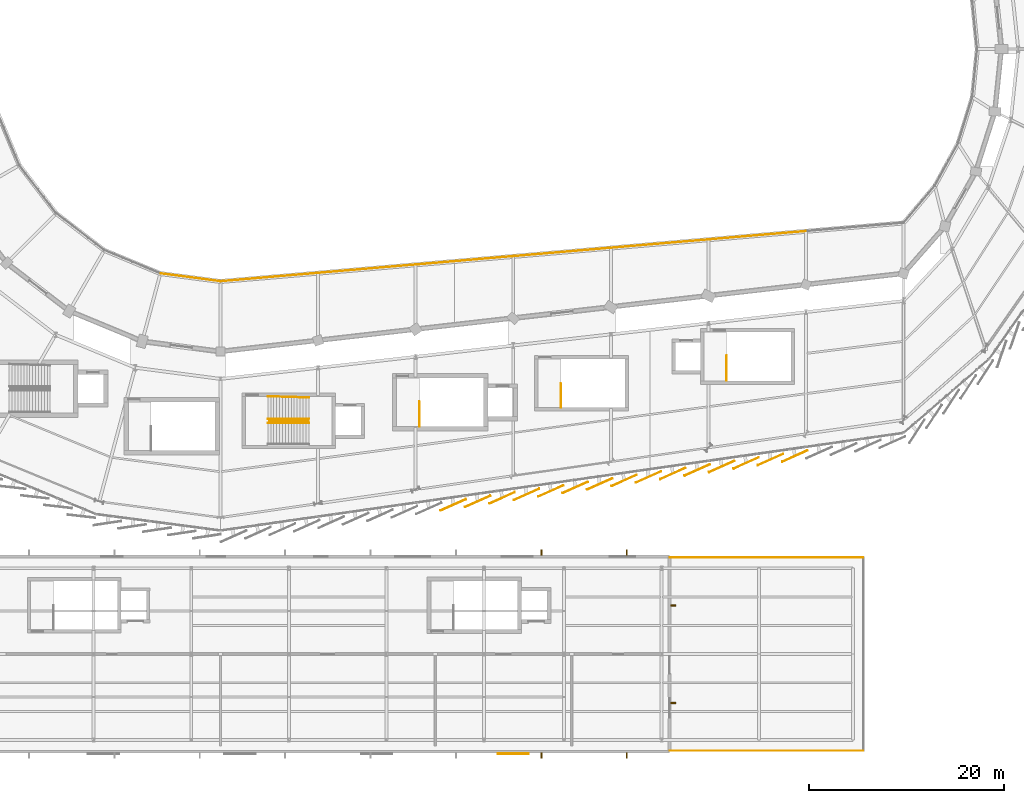
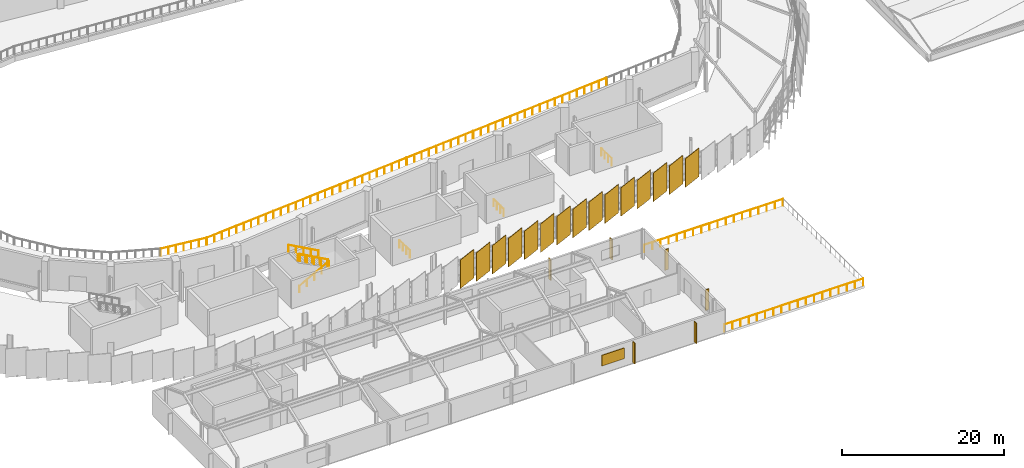
# One storey, part 83 of 87: 16 railings, 15 coverings, 7 shading devices.
"""IFC4 building model written with IfcOpenShell, lengths in metres."""

from ifc_helpers import new_model, si_unit, direction, frame, origin, origin_2d, place, context, subcontext, project, spatial, rectangle, circle, extrude, material, layer, layer_set, type_object, element, save


model = new_model("IFC4")

# Units and contexts
model_context = context("Model", 3, precision=1e-05, world=origin(), true_north=direction((0.0, 1.0)))
body_context = subcontext(model_context, "Body", "Model", "MODEL_VIEW")
ifc_project = project(units=[si_unit("LENGTHUNIT", "METRE"), si_unit("AREAUNIT", "SQUARE_METRE"), si_unit("VOLUMEUNIT", "CUBIC_METRE"), si_unit("PLANEANGLEUNIT", "RADIAN"), si_unit("MASSUNIT", "GRAM", prefix="KILO")], contexts=[model_context])

# Site, building, storey
site_placement = place(None, origin())
site = spatial("IfcSite", under=ifc_project, at=site_placement, CompositionType="ELEMENT")
building_placement = place(site_placement, origin())
building = spatial("IfcBuilding", under=site, at=building_placement, Name="Sohan Crest Arena", CompositionType="ELEMENT")
storey_placement = place(building_placement, frame((0.0, 0.0, 18.0)))
storey = spatial("IfcBuildingStorey", under=building, at=storey_placement, Name="L04", CompositionType="ELEMENT", Elevation=18.0)

# Railings
ifc_material_1 = material(Name="Powder-coated wrought steel balustrade", Category="steel")
railing_type_1 = type_object("IfcRailingType", Name="ARC-GRD-01", PredefinedType="GUARDRAIL", material=ifc_material_1)
railing_1_placement = place(storey_placement, frame((107.030029296875, 39.89990234375, 2.25)))
element("IfcRailing", 1, at=railing_1_placement, inside=storey, type_object=railing_type_1, Name="Stair well slot guard GRD-033", PredefinedType="GUARDRAIL", context=body_context, shape_type="SweptSolid", body=[
    extrude(circle(Radius=0.02392578125, at=origin_2d()), frame((0.0, 0.0, 1.076171875), z_axis=(-0.87313487534, 0.0, 0.487478706678), x_axis=(0.0, -1.0, 0.0)), (0.0, 0.0, 1.0), 4.615478515625),
    extrude(circle(Radius=0.02099609375, at=origin_2d()), origin(), (0.0, 0.0, 1.0), 1.052001953125),
    extrude(circle(Radius=0.02099609375, at=origin_2d()), frame((-1.007568359375, 0.0, 0.5625)), (0.0, 0.0, 1.0), 1.052001953125),
    extrude(circle(Radius=0.02099609375, at=origin_2d()), frame((-2.01513671875, 0.0, 1.125)), (0.0, 0.0, 1.0), 1.052001953125),
    extrude(circle(Radius=0.02099609375, at=origin_2d()), frame((-3.0224609375, 0.0, 1.6875)), (0.0, 0.0, 1.0), 1.052001953125),
    extrude(circle(Radius=0.02099609375, at=origin_2d()), frame((-4.030029296875, 0.0, 2.25)), (0.0, 0.0, 1.0), 1.052001953125),
])
railing_2_placement = place(storey_placement, frame((118.3701171875, 39.320068359375, 0.0)))
element("IfcRailing", 2, at=railing_2_placement, inside=storey, type_object=railing_type_1, Name="Top stair landing well guard GRD-045", PredefinedType="GUARDRAIL", context=body_context, shape_type="SweptSolid", body=[
    extrude(circle(Radius=0.02392578125, at=origin_2d()), frame((0.0, 0.0, 1.076171875), z_axis=(0.0, 1.0, 0.0), x_axis=(-1.0, 0.0, 0.0)), (0.0, 0.0, 1.0), 2.559814453125),
    extrude(circle(Radius=0.02099609375, at=origin_2d()), origin(), (0.0, 0.0, 1.0), 1.052001953125),
    extrude(circle(Radius=0.02099609375, at=origin_2d()), frame((0.0, 0.853271484375, 0.0)), (0.0, 0.0, 1.0), 1.052001953125),
    extrude(circle(Radius=0.02099609375, at=origin_2d()), frame((0.0, 1.70654296875, 0.0)), (0.0, 0.0, 1.0), 1.052001953125),
    extrude(circle(Radius=0.02099609375, at=origin_2d()), frame((0.0, 2.559814453125, 0.0)), (0.0, 0.0, 1.0), 1.052001953125),
])
railing_3_placement = place(storey_placement, frame((149.8701171875, 44.02001953125, 0.0)))
element("IfcRailing", 3, at=railing_3_placement, inside=storey, type_object=railing_type_1, Name="Top stair landing well guard GRD-055", PredefinedType="GUARDRAIL", context=body_context, shape_type="SweptSolid", body=[
    extrude(circle(Radius=0.02392578125, at=origin_2d()), frame((0.0, 0.0, 1.076171875), z_axis=(0.0, 1.0, 0.0), x_axis=(-1.0, 0.0, 0.0)), (0.0, 0.0, 1.0), 2.56005859375),
    extrude(circle(Radius=0.02099609375, at=origin_2d()), origin(), (0.0, 0.0, 1.0), 1.052001953125),
    extrude(circle(Radius=0.02099609375, at=origin_2d()), frame((0.0, 0.853271484375, 0.0)), (0.0, 0.0, 1.0), 1.052001953125),
    extrude(circle(Radius=0.02099609375, at=origin_2d()), frame((0.0, 1.706787109375, 0.0)), (0.0, 0.0, 1.0), 1.052001953125),
    extrude(circle(Radius=0.02099609375, at=origin_2d()), frame((0.0, 2.56005859375, 0.0)), (0.0, 0.0, 1.0), 1.052001953125),
])
railing_4_placement = place(storey_placement, frame((132.8701171875, 41.27001953125, 0.0)))
element("IfcRailing", 4, at=railing_4_placement, inside=storey, type_object=railing_type_1, Name="Top stair landing well guard GRD-116", PredefinedType="GUARDRAIL", context=body_context, shape_type="SweptSolid", body=[
    extrude(circle(Radius=0.02392578125, at=origin_2d()), frame((0.0, 0.0, 1.076171875), z_axis=(0.0, 1.0, 0.0), x_axis=(-1.0, 0.0, 0.0)), (0.0, 0.0, 1.0), 2.4599609375),
    extrude(circle(Radius=0.02099609375, at=origin_2d()), origin(), (0.0, 0.0, 1.0), 1.052001953125),
    extrude(circle(Radius=0.02099609375, at=origin_2d()), frame((0.0, 0.820068359375, 0.0)), (0.0, 0.0, 1.0), 1.052001953125),
    extrude(circle(Radius=0.02099609375, at=origin_2d()), frame((0.0, 1.639892578125, 0.0)), (0.0, 0.0, 1.0), 1.052001953125),
    extrude(circle(Radius=0.02099609375, at=origin_2d()), frame((0.0, 2.4599609375, 0.0)), (0.0, 0.0, 1.0), 1.052001953125),
])
railing_5_placement = place(storey_placement, frame((144.0400390625, 6.10009765625, 0.0)))
element("IfcRailing", 5, at=railing_5_placement, inside=storey, type_object=railing_type_1, Name="East roof garden balustrade GRD-305", PredefinedType="GUARDRAIL", context=body_context, shape_type="SweptSolid", body=[
    extrude(circle(Radius=0.02392578125, at=origin_2d()), frame((0.0, 0.0, 1.076171875), z_axis=(1.0, 0.0, 0.0), x_axis=(0.0, 1.0, 0.0)), (0.0, 0.0, 1.0), 19.820068359375),
    extrude(circle(Radius=0.02099609375, at=origin_2d()), origin(), (0.0, 0.0, 1.0), 1.052001953125),
    extrude(circle(Radius=0.02099609375, at=origin_2d()), frame((1.165771484375, 0.0, 0.0)), (0.0, 0.0, 1.0), 1.052001953125),
    extrude(circle(Radius=0.02099609375, at=origin_2d()), frame((2.331787109375, 0.0, 0.0)), (0.0, 0.0, 1.0), 1.052001953125),
    extrude(circle(Radius=0.02099609375, at=origin_2d()), frame((3.49755859375, 0.0, 0.0)), (0.0, 0.0, 1.0), 1.052001953125),
    extrude(circle(Radius=0.02099609375, at=origin_2d()), frame((4.66357421875, 0.0, 0.0)), (0.0, 0.0, 1.0), 1.052001953125),
    extrude(circle(Radius=0.02099609375, at=origin_2d()), frame((5.829345703125, 0.0, 0.0)), (0.0, 0.0, 1.0), 1.052001953125),
    extrude(circle(Radius=0.02099609375, at=origin_2d()), frame((6.995361328125, 0.0, 0.0)), (0.0, 0.0, 1.0), 1.052001953125),
    extrude(circle(Radius=0.02099609375, at=origin_2d()), frame((8.1611328125, 0.0, 0.0)), (0.0, 0.0, 1.0), 1.052001953125),
    extrude(circle(Radius=0.02099609375, at=origin_2d()), frame((9.3271484375, 0.0, 0.0)), (0.0, 0.0, 1.0), 1.052001953125),
    extrude(circle(Radius=0.02099609375, at=origin_2d()), frame((10.492919921875, 0.0, 0.0)), (0.0, 0.0, 1.0), 1.052001953125),
    extrude(circle(Radius=0.02099609375, at=origin_2d()), frame((11.658935546875, 0.0, 0.0)), (0.0, 0.0, 1.0), 1.052001953125),
    extrude(circle(Radius=0.02099609375, at=origin_2d()), frame((12.82470703125, 0.0, 0.0)), (0.0, 0.0, 1.0), 1.052001953125),
    extrude(circle(Radius=0.02099609375, at=origin_2d()), frame((13.99072265625, 0.0, 0.0)), (0.0, 0.0, 1.0), 1.052001953125),
    extrude(circle(Radius=0.02099609375, at=origin_2d()), frame((15.156494140625, 0.0, 0.0)), (0.0, 0.0, 1.0), 1.052001953125),
    extrude(circle(Radius=0.02099609375, at=origin_2d()), frame((16.322509765625, 0.0, 0.0)), (0.0, 0.0, 1.0), 1.052001953125),
    extrude(circle(Radius=0.02099609375, at=origin_2d()), frame((17.48828125, 0.0, 0.0)), (0.0, 0.0, 1.0), 1.052001953125),
    extrude(circle(Radius=0.02099609375, at=origin_2d()), frame((18.654296875, 0.0, 0.0)), (0.0, 0.0, 1.0), 1.052001953125),
    extrude(circle(Radius=0.02099609375, at=origin_2d()), frame((19.820068359375, 0.0, 0.0)), (0.0, 0.0, 1.0), 1.052001953125),
])
railing_6_placement = place(storey_placement, frame((163.860107421875, 25.89990234375, 0.0)))
element("IfcRailing", 6, at=railing_6_placement, inside=storey, type_object=railing_type_1, Name="East roof garden balustrade GRD-307", PredefinedType="GUARDRAIL", context=body_context, shape_type="SweptSolid", body=[
    extrude(circle(Radius=0.02392578125, at=origin_2d()), frame((0.0, 0.0, 1.076171875), z_axis=(-1.0, 0.0, 0.0), x_axis=(0.0, -1.0, 0.0)), (0.0, 0.0, 1.0), 19.820068359375),
    extrude(circle(Radius=0.02099609375, at=origin_2d()), origin(), (0.0, 0.0, 1.0), 1.052001953125),
    extrude(circle(Radius=0.02099609375, at=origin_2d()), frame((-1.165771484375, 0.0, 0.0)), (0.0, 0.0, 1.0), 1.052001953125),
    extrude(circle(Radius=0.02099609375, at=origin_2d()), frame((-2.331787109375, 0.0, 0.0)), (0.0, 0.0, 1.0), 1.052001953125),
    extrude(circle(Radius=0.02099609375, at=origin_2d()), frame((-3.49755859375, 0.0, 0.0)), (0.0, 0.0, 1.0), 1.052001953125),
    extrude(circle(Radius=0.02099609375, at=origin_2d()), frame((-4.66357421875, 0.0, 0.0)), (0.0, 0.0, 1.0), 1.052001953125),
    extrude(circle(Radius=0.02099609375, at=origin_2d()), frame((-5.829345703125, 0.0, 0.0)), (0.0, 0.0, 1.0), 1.052001953125),
    extrude(circle(Radius=0.02099609375, at=origin_2d()), frame((-6.995361328125, 0.0, 0.0)), (0.0, 0.0, 1.0), 1.052001953125),
    extrude(circle(Radius=0.02099609375, at=origin_2d()), frame((-8.1611328125, 0.0, 0.0)), (0.0, 0.0, 1.0), 1.052001953125),
    extrude(circle(Radius=0.02099609375, at=origin_2d()), frame((-9.3271484375, 0.0, 0.0)), (0.0, 0.0, 1.0), 1.052001953125),
    extrude(circle(Radius=0.02099609375, at=origin_2d()), frame((-10.492919921875, 0.0, 0.0)), (0.0, 0.0, 1.0), 1.052001953125),
    extrude(circle(Radius=0.02099609375, at=origin_2d()), frame((-11.658935546875, 0.0, 0.0)), (0.0, 0.0, 1.0), 1.052001953125),
    extrude(circle(Radius=0.02099609375, at=origin_2d()), frame((-12.82470703125, 0.0, 0.0)), (0.0, 0.0, 1.0), 1.052001953125),
    extrude(circle(Radius=0.02099609375, at=origin_2d()), frame((-13.99072265625, 0.0, 0.0)), (0.0, 0.0, 1.0), 1.052001953125),
    extrude(circle(Radius=0.02099609375, at=origin_2d()), frame((-15.156494140625, 0.0, 0.0)), (0.0, 0.0, 1.0), 1.052001953125),
    extrude(circle(Radius=0.02099609375, at=origin_2d()), frame((-16.322509765625, 0.0, 0.0)), (0.0, 0.0, 1.0), 1.052001953125),
    extrude(circle(Radius=0.02099609375, at=origin_2d()), frame((-17.48828125, 0.0, 0.0)), (0.0, 0.0, 1.0), 1.052001953125),
    extrude(circle(Radius=0.02099609375, at=origin_2d()), frame((-18.654296875, 0.0, 0.0)), (0.0, 0.0, 1.0), 1.052001953125),
    extrude(circle(Radius=0.02099609375, at=origin_2d()), frame((-19.820068359375, 0.0, 0.0)), (0.0, 0.0, 1.0), 1.052001953125),
])
ifc_material_2 = material(Name="Laminated glass and steel sightline guard", Category="steel")
railing_type_2 = type_object("IfcRailingType", Name="ARC-GRD-02", PredefinedType="GUARDRAIL", material=ifc_material_2)
railing_7_placement = place(storey_placement, frame((91.8798828125, 55.006103515625, 0.0)))
element("IfcRailing", 7, at=railing_7_placement, inside=storey, type_object=railing_type_2, Name="Bowl gallery edge guard GRD-263", PredefinedType="GUARDRAIL", context=body_context, shape_type="SweptSolid", body=[
    extrude(circle(Radius=0.02392578125, at=origin_2d()), frame((0.0, 0.0, 1.1259765625), z_axis=(0.991432873037, -0.130617220384, 0.0), x_axis=(0.130617220384, 0.991432873037, 0.0)), (0.0, 0.0, 1.0), 6.132568359375),
    extrude(circle(Radius=0.02099609375, at=origin_2d()), origin(), (0.0, 0.0, 1.0), 1.101806640625),
    extrude(circle(Radius=0.02099609375, at=origin_2d()), frame((1.013427734375, -0.133544921875, 0.0)), (0.0, 0.0, 1.0), 1.101806640625),
    extrude(circle(Radius=0.02099609375, at=origin_2d()), frame((2.026611328125, -0.26708984375, 0.0)), (0.0, 0.0, 1.0), 1.101806640625),
    extrude(circle(Radius=0.02099609375, at=origin_2d()), frame((3.0400390625, -0.400390625, 0.0)), (0.0, 0.0, 1.0), 1.101806640625),
    extrude(circle(Radius=0.02099609375, at=origin_2d()), frame((4.053466796875, -0.533935546875, 0.0)), (0.0, 0.0, 1.0), 1.101806640625),
    extrude(circle(Radius=0.02099609375, at=origin_2d()), frame((5.066650390625, -0.66748046875, 0.0)), (0.0, 0.0, 1.0), 1.101806640625),
    extrude(circle(Radius=0.02099609375, at=origin_2d()), frame((6.080078125, -0.801025390625, 0.0)), (0.0, 0.0, 1.0), 1.101806640625),
])
railing_8_placement = place(storey_placement, frame((98.0400390625, 54.202880859375, 0.0)))
element("IfcRailing", 8, at=railing_8_placement, inside=storey, type_object=railing_type_2, Name="Bowl gallery edge guard GRD-264", PredefinedType="GUARDRAIL", context=body_context, shape_type="SweptSolid", body=[
    extrude(circle(Radius=0.02392578125, at=origin_2d()), frame((0.0, 0.0, 1.1259765625), z_axis=(0.996339849936, 0.085480427173, 0.0), x_axis=(-0.085480427173, 0.996339849936, 0.0)), (0.0, 0.0, 1.0), 9.956298828125),
    extrude(circle(Radius=0.02099609375, at=origin_2d()), origin(), (0.0, 0.0, 1.0), 1.101806640625),
    extrude(circle(Radius=0.02099609375, at=origin_2d()), frame((1.102294921875, 0.094482421875, 0.0)), (0.0, 0.0, 1.0), 1.101806640625),
    extrude(circle(Radius=0.02099609375, at=origin_2d()), frame((2.204345703125, 0.189208984375, 0.0)), (0.0, 0.0, 1.0), 1.101806640625),
    extrude(circle(Radius=0.02099609375, at=origin_2d()), frame((3.306640625, 0.28369140625, 0.0)), (0.0, 0.0, 1.0), 1.101806640625),
    extrude(circle(Radius=0.02099609375, at=origin_2d()), frame((4.408935546875, 0.378173828125, 0.0)), (0.0, 0.0, 1.0), 1.101806640625),
    extrude(circle(Radius=0.02099609375, at=origin_2d()), frame((5.510986328125, 0.472900390625, 0.0)), (0.0, 0.0, 1.0), 1.101806640625),
    extrude(circle(Radius=0.02099609375, at=origin_2d()), frame((6.61328125, 0.5673828125, 0.0)), (0.0, 0.0, 1.0), 1.101806640625),
    extrude(circle(Radius=0.02099609375, at=origin_2d()), frame((7.715576171875, 0.661865234375, 0.0)), (0.0, 0.0, 1.0), 1.101806640625),
    extrude(circle(Radius=0.02099609375, at=origin_2d()), frame((8.817626953125, 0.756591796875, 0.0)), (0.0, 0.0, 1.0), 1.101806640625),
    extrude(circle(Radius=0.02099609375, at=origin_2d()), frame((9.919921875, 0.85107421875, 0.0)), (0.0, 0.0, 1.0), 1.101806640625),
])
railing_9_placement = place(storey_placement, frame((108.0400390625, 55.06005859375, 0.0)))
element("IfcRailing", 9, at=railing_9_placement, inside=storey, type_object=railing_type_2, Name="Bowl gallery edge guard GRD-265", PredefinedType="GUARDRAIL", context=body_context, shape_type="SweptSolid", body=[
    extrude(circle(Radius=0.02392578125, at=origin_2d()), frame((0.0, 0.0, 1.1259765625), z_axis=(0.996341938042, 0.085456085206, 0.0), x_axis=(-0.085456085206, 0.996341938042, 0.0)), (0.0, 0.0, 1.0), 9.956298828125),
    extrude(circle(Radius=0.02099609375, at=origin_2d()), origin(), (0.0, 0.0, 1.0), 1.101806640625),
    extrude(circle(Radius=0.02099609375, at=origin_2d()), frame((1.102294921875, 0.094482421875, 0.0)), (0.0, 0.0, 1.0), 1.101806640625),
    extrude(circle(Radius=0.02099609375, at=origin_2d()), frame((2.204345703125, 0.18896484375, 0.0)), (0.0, 0.0, 1.0), 1.101806640625),
    extrude(circle(Radius=0.02099609375, at=origin_2d()), frame((3.306640625, 0.28369140625, 0.0)), (0.0, 0.0, 1.0), 1.101806640625),
    extrude(circle(Radius=0.02099609375, at=origin_2d()), frame((4.408935546875, 0.378173828125, 0.0)), (0.0, 0.0, 1.0), 1.101806640625),
    extrude(circle(Radius=0.02099609375, at=origin_2d()), frame((5.510986328125, 0.47265625, 0.0)), (0.0, 0.0, 1.0), 1.101806640625),
    extrude(circle(Radius=0.02099609375, at=origin_2d()), frame((6.61328125, 0.567138671875, 0.0)), (0.0, 0.0, 1.0), 1.101806640625),
    extrude(circle(Radius=0.02099609375, at=origin_2d()), frame((7.715576171875, 0.661865234375, 0.0)), (0.0, 0.0, 1.0), 1.101806640625),
    extrude(circle(Radius=0.02099609375, at=origin_2d()), frame((8.817626953125, 0.75634765625, 0.0)), (0.0, 0.0, 1.0), 1.101806640625),
    extrude(circle(Radius=0.02099609375, at=origin_2d()), frame((9.919921875, 0.850830078125, 0.0)), (0.0, 0.0, 1.0), 1.101806640625),
])
railing_10_placement = place(storey_placement, frame((118.0400390625, 55.9169921875, 0.0)))
element("IfcRailing", 10, at=railing_10_placement, inside=storey, type_object=railing_type_2, Name="Bowl gallery edge guard GRD-266", PredefinedType="GUARDRAIL", context=body_context, shape_type="SweptSolid", body=[
    extrude(circle(Radius=0.02392578125, at=origin_2d()), frame((0.0, 0.0, 1.1259765625), z_axis=(0.996339849936, 0.085480427173, 0.0), x_axis=(-0.085480427173, 0.996339849936, 0.0)), (0.0, 0.0, 1.0), 9.956298828125),
    extrude(circle(Radius=0.02099609375, at=origin_2d()), origin(), (0.0, 0.0, 1.0), 1.101806640625),
    extrude(circle(Radius=0.02099609375, at=origin_2d()), frame((1.102294921875, 0.094482421875, 0.0)), (0.0, 0.0, 1.0), 1.101806640625),
    extrude(circle(Radius=0.02099609375, at=origin_2d()), frame((2.204345703125, 0.189208984375, 0.0)), (0.0, 0.0, 1.0), 1.101806640625),
    extrude(circle(Radius=0.02099609375, at=origin_2d()), frame((3.306640625, 0.28369140625, 0.0)), (0.0, 0.0, 1.0), 1.101806640625),
    extrude(circle(Radius=0.02099609375, at=origin_2d()), frame((4.408935546875, 0.378173828125, 0.0)), (0.0, 0.0, 1.0), 1.101806640625),
    extrude(circle(Radius=0.02099609375, at=origin_2d()), frame((5.510986328125, 0.472900390625, 0.0)), (0.0, 0.0, 1.0), 1.101806640625),
    extrude(circle(Radius=0.02099609375, at=origin_2d()), frame((6.61328125, 0.5673828125, 0.0)), (0.0, 0.0, 1.0), 1.101806640625),
    extrude(circle(Radius=0.02099609375, at=origin_2d()), frame((7.715576171875, 0.661865234375, 0.0)), (0.0, 0.0, 1.0), 1.101806640625),
    extrude(circle(Radius=0.02099609375, at=origin_2d()), frame((8.817626953125, 0.756591796875, 0.0)), (0.0, 0.0, 1.0), 1.101806640625),
    extrude(circle(Radius=0.02099609375, at=origin_2d()), frame((9.919921875, 0.85107421875, 0.0)), (0.0, 0.0, 1.0), 1.101806640625),
])
railing_11_placement = place(storey_placement, frame((128.0400390625, 56.77392578125, 0.0)))
element("IfcRailing", 11, at=railing_11_placement, inside=storey, type_object=railing_type_2, Name="Bowl gallery edge guard GRD-267", PredefinedType="GUARDRAIL", context=body_context, shape_type="SweptSolid", body=[
    extrude(circle(Radius=0.02392578125, at=origin_2d()), frame((0.0, 0.0, 1.1259765625), z_axis=(0.996331491652, 0.085577793509, 0.0), x_axis=(-0.085577793509, 0.996331491652, 0.0)), (0.0, 0.0, 1.0), 9.95654296875),
    extrude(circle(Radius=0.02099609375, at=origin_2d()), origin(), (0.0, 0.0, 1.0), 1.101806640625),
    extrude(circle(Radius=0.02099609375, at=origin_2d()), frame((1.102294921875, 0.0947265625, 0.0)), (0.0, 0.0, 1.0), 1.101806640625),
    extrude(circle(Radius=0.02099609375, at=origin_2d()), frame((2.204345703125, 0.189453125, 0.0)), (0.0, 0.0, 1.0), 1.101806640625),
    extrude(circle(Radius=0.02099609375, at=origin_2d()), frame((3.306640625, 0.283935546875, 0.0)), (0.0, 0.0, 1.0), 1.101806640625),
    extrude(circle(Radius=0.02099609375, at=origin_2d()), frame((4.408935546875, 0.378662109375, 0.0)), (0.0, 0.0, 1.0), 1.101806640625),
    extrude(circle(Radius=0.02099609375, at=origin_2d()), frame((5.510986328125, 0.473388671875, 0.0)), (0.0, 0.0, 1.0), 1.101806640625),
    extrude(circle(Radius=0.02099609375, at=origin_2d()), frame((6.61328125, 0.568115234375, 0.0)), (0.0, 0.0, 1.0), 1.101806640625),
    extrude(circle(Radius=0.02099609375, at=origin_2d()), frame((7.715576171875, 0.66259765625, 0.0)), (0.0, 0.0, 1.0), 1.101806640625),
    extrude(circle(Radius=0.02099609375, at=origin_2d()), frame((8.817626953125, 0.75732421875, 0.0)), (0.0, 0.0, 1.0), 1.101806640625),
    extrude(circle(Radius=0.02099609375, at=origin_2d()), frame((9.919921875, 0.85205078125, 0.0)), (0.0, 0.0, 1.0), 1.101806640625),
])
railing_12_placement = place(storey_placement, frame((138.0400390625, 57.632080078125, 0.0)))
element("IfcRailing", 12, at=railing_12_placement, inside=storey, type_object=railing_type_2, Name="Bowl gallery edge guard GRD-268", PredefinedType="GUARDRAIL", context=body_context, shape_type="SweptSolid", body=[
    extrude(circle(Radius=0.02392578125, at=origin_2d()), frame((0.0, 0.0, 1.1259765625), z_axis=(0.996341938042, 0.085456085206, 0.0), x_axis=(-0.085456085206, 0.996341938042, 0.0)), (0.0, 0.0, 1.0), 9.956298828125),
    extrude(circle(Radius=0.02099609375, at=origin_2d()), origin(), (0.0, 0.0, 1.0), 1.101806640625),
    extrude(circle(Radius=0.02099609375, at=origin_2d()), frame((1.102294921875, 0.094482421875, 0.0)), (0.0, 0.0, 1.0), 1.101806640625),
    extrude(circle(Radius=0.02099609375, at=origin_2d()), frame((2.204345703125, 0.18896484375, 0.0)), (0.0, 0.0, 1.0), 1.101806640625),
    extrude(circle(Radius=0.02099609375, at=origin_2d()), frame((3.306640625, 0.28369140625, 0.0)), (0.0, 0.0, 1.0), 1.101806640625),
    extrude(circle(Radius=0.02099609375, at=origin_2d()), frame((4.408935546875, 0.378173828125, 0.0)), (0.0, 0.0, 1.0), 1.101806640625),
    extrude(circle(Radius=0.02099609375, at=origin_2d()), frame((5.510986328125, 0.47265625, 0.0)), (0.0, 0.0, 1.0), 1.101806640625),
    extrude(circle(Radius=0.02099609375, at=origin_2d()), frame((6.61328125, 0.567138671875, 0.0)), (0.0, 0.0, 1.0), 1.101806640625),
    extrude(circle(Radius=0.02099609375, at=origin_2d()), frame((7.715576171875, 0.661865234375, 0.0)), (0.0, 0.0, 1.0), 1.101806640625),
    extrude(circle(Radius=0.02099609375, at=origin_2d()), frame((8.817626953125, 0.75634765625, 0.0)), (0.0, 0.0, 1.0), 1.101806640625),
    extrude(circle(Radius=0.02099609375, at=origin_2d()), frame((9.919921875, 0.850830078125, 0.0)), (0.0, 0.0, 1.0), 1.101806640625),
])
railing_13_placement = place(storey_placement, frame((148.0400390625, 58.489013671875, 0.0)))
element("IfcRailing", 13, at=railing_13_placement, inside=storey, type_object=railing_type_2, Name="Bowl gallery edge guard GRD-269", PredefinedType="GUARDRAIL", context=body_context, shape_type="SweptSolid", body=[
    extrude(circle(Radius=0.02392578125, at=origin_2d()), frame((0.0, 0.0, 1.1259765625), z_axis=(0.996339849936, 0.085480427173, 0.0), x_axis=(-0.085480427173, 0.996339849936, 0.0)), (0.0, 0.0, 1.0), 9.956298828125),
    extrude(circle(Radius=0.02099609375, at=origin_2d()), origin(), (0.0, 0.0, 1.0), 1.101806640625),
    extrude(circle(Radius=0.02099609375, at=origin_2d()), frame((1.102294921875, 0.094482421875, 0.0)), (0.0, 0.0, 1.0), 1.101806640625),
    extrude(circle(Radius=0.02099609375, at=origin_2d()), frame((2.204345703125, 0.189208984375, 0.0)), (0.0, 0.0, 1.0), 1.101806640625),
    extrude(circle(Radius=0.02099609375, at=origin_2d()), frame((3.306640625, 0.28369140625, 0.0)), (0.0, 0.0, 1.0), 1.101806640625),
    extrude(circle(Radius=0.02099609375, at=origin_2d()), frame((4.408935546875, 0.378173828125, 0.0)), (0.0, 0.0, 1.0), 1.101806640625),
    extrude(circle(Radius=0.02099609375, at=origin_2d()), frame((5.510986328125, 0.472900390625, 0.0)), (0.0, 0.0, 1.0), 1.101806640625),
    extrude(circle(Radius=0.02099609375, at=origin_2d()), frame((6.61328125, 0.5673828125, 0.0)), (0.0, 0.0, 1.0), 1.101806640625),
    extrude(circle(Radius=0.02099609375, at=origin_2d()), frame((7.715576171875, 0.661865234375, 0.0)), (0.0, 0.0, 1.0), 1.101806640625),
    extrude(circle(Radius=0.02099609375, at=origin_2d()), frame((8.817626953125, 0.756591796875, 0.0)), (0.0, 0.0, 1.0), 1.101806640625),
    extrude(circle(Radius=0.02099609375, at=origin_2d()), frame((9.919921875, 0.85107421875, 0.0)), (0.0, 0.0, 1.0), 1.101806640625),
])
ifc_material_3 = material(Name="Brushed stainless steel stair handrail", Category="steel")
railing_type_3 = type_object("IfcRailingType", Name="ARC-HR-01", PredefinedType="HANDRAIL", material=ifc_material_3)
railing_14_placement = place(storey_placement, frame((102.85009765625, 39.68994140625, 0.0)))
element("IfcRailing", 14, at=railing_14_placement, inside=storey, type_object=railing_type_3, Name="Stair pitch handrail HR-114", PredefinedType="HANDRAIL", context=body_context, shape_type="SweptSolid", body=[
    extrude(circle(Radius=0.02392578125, at=origin_2d()), frame((0.0, 0.0, 0.97607421875), z_axis=(0.881477684796, 0.0, 0.472225678258), x_axis=(0.0, 1.0, 0.0)), (0.0, 0.0, 1.0), 4.7646484375),
    extrude(circle(Radius=0.02099609375, at=origin_2d()), origin(), (0.0, 0.0, 1.0), 0.951904296875),
    extrude(circle(Radius=0.02099609375, at=origin_2d()), frame((1.050048828125, 0.0, 0.5625)), (0.0, 0.0, 1.0), 0.951904296875),
    extrude(circle(Radius=0.02099609375, at=origin_2d()), frame((2.10009765625, 0.0, 1.125)), (0.0, 0.0, 1.0), 0.951904296875),
    extrude(circle(Radius=0.02099609375, at=origin_2d()), frame((3.14990234375, 0.0, 1.6875)), (0.0, 0.0, 1.0), 0.951904296875),
    extrude(circle(Radius=0.02099609375, at=origin_2d()), frame((4.199951171875, 0.0, 2.25)), (0.0, 0.0, 1.0), 0.951904296875),
])
railing_15_placement = place(storey_placement, frame((107.050048828125, 40.110107421875, 2.25)))
element("IfcRailing", 15, at=railing_15_placement, inside=storey, type_object=railing_type_3, Name="Stair pitch handrail HR-115", PredefinedType="HANDRAIL", context=body_context, shape_type="SweptSolid", body=[
    extrude(circle(Radius=0.02392578125, at=origin_2d()), frame((0.0, 0.0, 0.97607421875), z_axis=(-0.881477684796, 0.0, 0.472225678258), x_axis=(0.0, -1.0, 0.0)), (0.0, 0.0, 1.0), 4.7646484375),
    extrude(circle(Radius=0.02099609375, at=origin_2d()), origin(), (0.0, 0.0, 1.0), 0.951904296875),
    extrude(circle(Radius=0.02099609375, at=origin_2d()), frame((-1.050048828125, 0.0, 0.5625)), (0.0, 0.0, 1.0), 0.951904296875),
    extrude(circle(Radius=0.02099609375, at=origin_2d()), frame((-2.10009765625, 0.0, 1.125)), (0.0, 0.0, 1.0), 0.951904296875),
    extrude(circle(Radius=0.02099609375, at=origin_2d()), frame((-3.14990234375, 0.0, 1.6875)), (0.0, 0.0, 1.0), 0.951904296875),
    extrude(circle(Radius=0.02099609375, at=origin_2d()), frame((-4.199951171875, 0.0, 2.25)), (0.0, 0.0, 1.0), 0.951904296875),
])
railing_16_placement = place(storey_placement, frame((107.050048828125, 42.2900390625, 2.25)))
element("IfcRailing", 16, at=railing_16_placement, inside=storey, type_object=railing_type_3, Name="Stair pitch handrail HR-116", PredefinedType="HANDRAIL", context=body_context, shape_type="SweptSolid", body=[
    extrude(circle(Radius=0.02392578125, at=origin_2d()), frame((0.0, 0.0, 0.97607421875), z_axis=(-0.881198846469, 0.025150766356, 0.472076298847), x_axis=(-0.028529915312, -0.999592939117, 0.0)), (0.0, 0.0, 1.0), 4.76611328125),
    extrude(circle(Radius=0.02099609375, at=origin_2d()), origin(), (0.0, 0.0, 1.0), 0.951904296875),
    extrude(circle(Radius=0.02099609375, at=origin_2d()), frame((-1.050048828125, 0.030029296875, 0.5625)), (0.0, 0.0, 1.0), 0.951904296875),
    extrude(circle(Radius=0.02099609375, at=origin_2d()), frame((-2.10009765625, 0.06005859375, 1.125)), (0.0, 0.0, 1.0), 0.951904296875),
    extrude(circle(Radius=0.02099609375, at=origin_2d()), frame((-3.14990234375, 0.08984375, 1.6875)), (0.0, 0.0, 1.0), 0.951904296875),
    extrude(circle(Radius=0.02099609375, at=origin_2d()), frame((-4.199951171875, 0.119873046875, 2.25)), (0.0, 0.0, 1.0), 0.951904296875),
])

# Shading devices
ifc_material_4 = material(Name="Glazed terracotta ceramic solar fin", Category="masonry")
ifc_layer_1 = layer(ifc_material_4, 0.070068359375, Name="Glazed terracotta ceramic solar fin")
ifc_layer_set_1 = layer_set([ifc_layer_1], Name="Glazed terracotta ceramic solar fin")
shading_device_type_1 = type_object("IfcShadingDeviceType", Name="ARC-SHD-FIN1", PredefinedType="USERDEFINED", material=ifc_layer_set_1)
for number, where, z_axis, x_axis, name in (
    (17, (130.875, 5.60009765625, 0.199951171875), (0.0, 0.0, 1.0), (1.0, 0.0, 0.0), "Catalan terracotta facade fin FIN-133"),
    (18, (139.625, 5.60009765625, 0.199951171875), (0.0, 0.0, 1.0), (1.0, 0.0, 0.0), "Catalan terracotta facade fin FIN-134"),
    (19, (144.39990234375, 11.0, 0.199951171875), (0.0, 0.0, 1.0), (0.0, 1.0, 0.0), "Catalan terracotta facade fin FIN-139"),
    (20, (144.39990234375, 21.0, 0.199951171875), (0.0, 0.0, 1.0), (0.0, 1.0, 0.0), "Catalan terracotta facade fin FIN-140"),
    (21, (139.625, 26.39990234375, 0.199951171875), (0.0, 0.0, 1.0), (-1.0, 0.0, 0.0), "Catalan terracotta facade fin FIN-141"),
    (22, (130.875, 26.39990234375, 0.199951171875), (0.0, 0.0, 1.0), (-1.0, 0.0, 0.0), "Catalan terracotta facade fin FIN-142"),
):
    element("IfcShadingDevice", number, at=place(storey_placement, frame(where, z_axis=z_axis, x_axis=x_axis)), inside=storey, type_object=shading_device_type_1, Name=name, ObjectType="FIN", PredefinedType="USERDEFINED", context=body_context, shape_type="SweptSolid", body=[
        extrude(rectangle(XDim=0.139892578125, YDim=0.550048828125, at=origin_2d()), origin(), (0.0, 0.0, 1.0), 3.10009765625),
    ])
ifc_material_5 = material(Name="Thermally broken anodised aluminium", Category="aluminium")
ifc_layer_2 = layer(ifc_material_5, 0.10009765625, Name="Thermally broken anodised aluminium")
ifc_layer_set_2 = layer_set([ifc_layer_2], Name="Thermally broken anodised aluminium")
shading_device_type_2 = type_object("IfcShadingDeviceType", Name="ARC-SHD-LV1", PredefinedType="JALOUSIE", material=ifc_layer_set_2)
shading_device_placement = place(storey_placement, frame((128.0, 5.81494140625, 1.199951171875), z_axis=(0.0, 0.0, 1.0), x_axis=(1.0, 0.0, 0.0)))
element("IfcShadingDevice", 23, at=shading_device_placement, inside=storey, type_object=shading_device_type_2, Name="Acoustic plant weather louvre LV-138", PredefinedType="JALOUSIE", context=body_context, shape_type="SweptSolid", body=[
    extrude(rectangle(XDim=3.199951171875, YDim=0.10009765625, at=origin_2d()), origin(), (0.0, 0.0, 1.0), 1.60009765625),
])

# Coverings
ifc_material_6 = material(Name="Glazed ivory trencadis ceramic cladding", Category="masonry")
ifc_layer_3 = layer(ifc_material_6, 0.06494140625, Name="Glazed ivory trencadis ceramic cladding")
ifc_layer_set_3 = layer_set([ifc_layer_3], Name="Glazed ivory trencadis ceramic cladding")
covering_type_1 = type_object("IfcCoveringType", Name="COV-SC-IV", PredefinedType="CLADDING", material=ifc_layer_set_3)
for number, where, z_axis, x_axis, name in (
    (24, (124.35791015625, 31.64794921875, -0.2001953125), (0.0, 0.0, 1.0), (0.912834177233, 0.408330460381, 0.0), "Rotated trencadis ceramic scale panel SC-0469"),
    (25, (126.85791015625, 32.0048828125, -0.2001953125), (0.0, 0.0, 1.0), (0.912834177233, 0.408330460381, 0.0), "Rotated trencadis ceramic scale panel SC-0470"),
    (26, (131.85693359375, 32.718994140625, -0.2001953125), (0.0, 0.0, 1.0), (0.912834177233, 0.408330460381, 0.0), "Rotated trencadis ceramic scale panel SC-0472"),
    (27, (134.35693359375, 33.075927734375, -0.2001953125), (0.0, 0.0, 1.0), (0.912834177233, 0.408330460381, 0.0), "Rotated trencadis ceramic scale panel SC-0473"),
    (28, (136.85693359375, 33.43310546875, -0.2001953125), (0.0, 0.0, 1.0), (0.912834177233, 0.408330460381, 0.0), "Rotated trencadis ceramic scale panel SC-0474"),
    (29, (139.35791015625, 33.7900390625, -0.2001953125), (0.0, 0.0, 1.0), (0.912834177233, 0.408330460381, 0.0), "Rotated trencadis ceramic scale panel SC-0475"),
    (30, (141.85791015625, 34.14794921875, -0.2001953125), (0.0, 0.0, 1.0), (0.912834177233, 0.408330460381, 0.0), "Rotated trencadis ceramic scale panel SC-0476"),
    (31, (144.35791015625, 34.5048828125, -0.2001953125), (0.0, 0.0, 1.0), (0.912834177233, 0.408330460381, 0.0), "Rotated trencadis ceramic scale panel SC-0477"),
    (32, (146.85791015625, 34.862060546875, -0.2001953125), (0.0, 0.0, 1.0), (0.912834177233, 0.408330460381, 0.0), "Rotated trencadis ceramic scale panel SC-0478"),
    (33, (149.35693359375, 35.218994140625, -0.2001953125), (0.0, 0.0, 1.0), (0.912834177233, 0.408330460381, 0.0), "Rotated trencadis ceramic scale panel SC-0479"),
    (34, (151.85693359375, 35.575927734375, -0.2001953125), (0.0, 0.0, 1.0), (0.912834177233, 0.408330460381, 0.0), "Rotated trencadis ceramic scale panel SC-0480"),
    (35, (154.35693359375, 35.93310546875, -0.2001953125), (0.0, 0.0, 1.0), (0.912834177233, 0.408330460381, 0.0), "Rotated trencadis ceramic scale panel SC-0481"),
):
    element("IfcCovering", number, at=place(storey_placement, frame(where, z_axis=z_axis, x_axis=x_axis)), inside=storey, type_object=covering_type_1, Name=name, PredefinedType="CLADDING", context=body_context, shape_type="SweptSolid", body=[
        extrude(rectangle(XDim=2.85009765625, YDim=0.06494140625, at=origin_2d()), origin(), (0.0, 0.0, 1.0), 4.300048828125),
    ])
ifc_material_7 = material(Name="Glazed terracotta trencadis ceramic cladding", Category="masonry")
ifc_layer_4 = layer(ifc_material_7, 0.074951171875, Name="Glazed terracotta trencadis ceramic cladding")
ifc_layer_set_4 = layer_set([ifc_layer_4], Name="Glazed terracotta trencadis ceramic cladding")
covering_type_2 = type_object("IfcCoveringType", Name="COV-SC-TC", PredefinedType="CLADDING", material=ifc_layer_set_4)
for number, where, z_axis, x_axis, name in (
    (36, (121.85791015625, 31.291015625, -0.2001953125), (0.0, 0.0, 1.0), (0.912834177233, 0.408330460381, 0.0), "Rotated trencadis ceramic scale panel SC-0468"),
    (37, (129.35693359375, 32.362060546875, -0.2001953125), (0.0, 0.0, 1.0), (0.912834177233, 0.408330460381, 0.0), "Rotated trencadis ceramic scale panel SC-0471"),
    (38, (156.85693359375, 36.2900390625, -0.2001953125), (0.0, 0.0, 1.0), (0.912834177233, 0.408330460381, 0.0), "Rotated trencadis ceramic scale panel SC-0482"),
):
    element("IfcCovering", number, at=place(storey_placement, frame(where, z_axis=z_axis, x_axis=x_axis)), inside=storey, type_object=covering_type_2, Name=name, PredefinedType="CLADDING", context=body_context, shape_type="SweptSolid", body=[
        extrude(rectangle(XDim=2.85009765625, YDim=0.074951171875, at=origin_2d()), origin(), (0.0, 0.0, 1.0), 4.300048828125),
    ])

save(model, "model.ifc")
